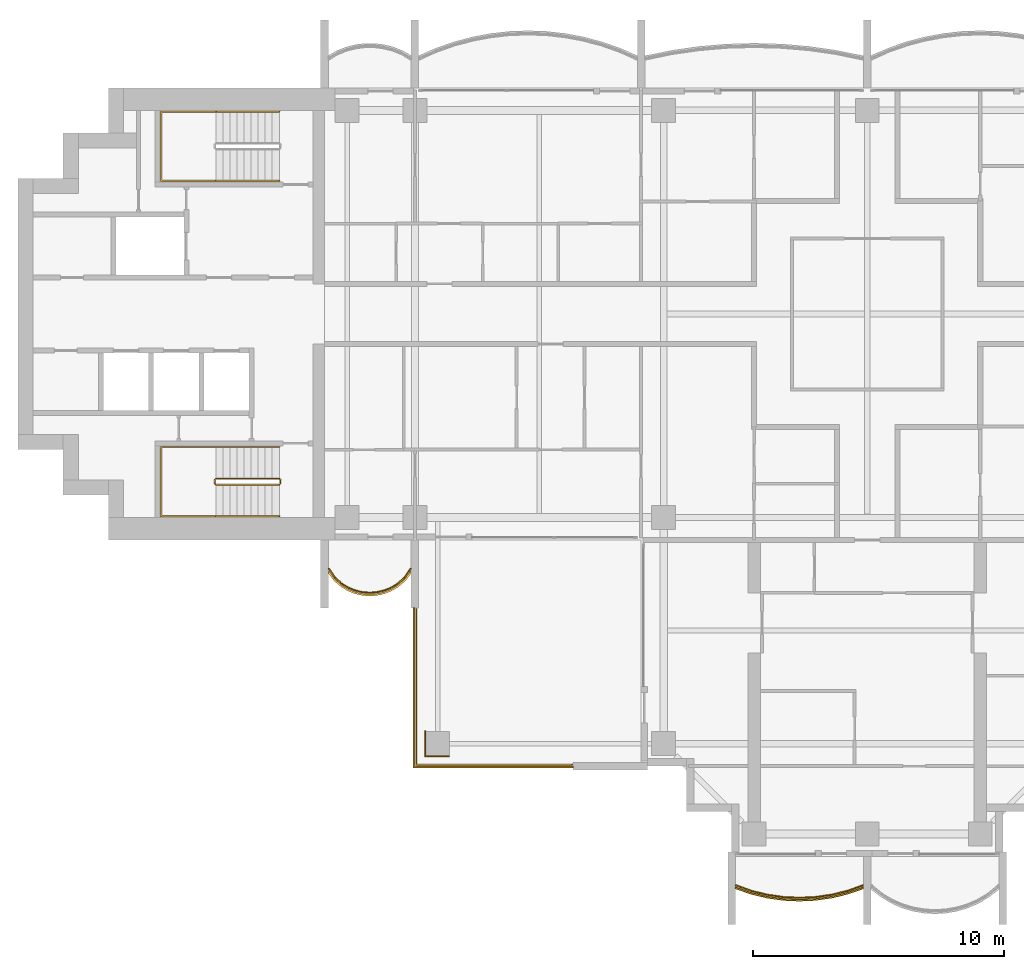
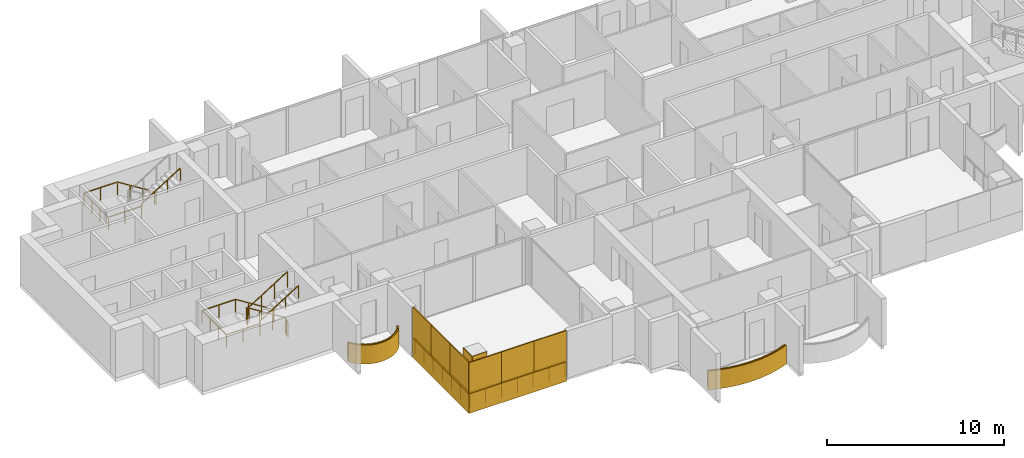
# One storey, part 14 of 17: 11 coverings, 6 railings.
"""IFC4 building model written with IfcOpenShell, lengths in metres."""

from ifc_helpers import new_model, si_unit, direction, frame, origin, origin_2d, place, context, subcontext, project, spatial, polyline, rectangle, outline, extrude, material, layer, layer_set, type_object, element, save


model = new_model("IFC4")

# Units and contexts
model_context = context("Model", 3, precision=1e-05, world=origin(), true_north=direction((0.0, 1.0)))
body_context = subcontext(model_context, "Body", "Model", "MODEL_VIEW")
ifc_project = project(units=[si_unit("LENGTHUNIT", "METRE"), si_unit("AREAUNIT", "SQUARE_METRE"), si_unit("VOLUMEUNIT", "CUBIC_METRE"), si_unit("PLANEANGLEUNIT", "RADIAN"), si_unit("MASSUNIT", "GRAM", prefix="KILO")], contexts=[model_context])

# Site, building, storey
site_placement = place(None, origin())
site = spatial("IfcSite", under=ifc_project, at=site_placement, CompositionType="ELEMENT")
building_placement = place(site_placement, origin())
building = spatial("IfcBuilding", under=site, at=building_placement, Name="Perihelion Cross Residences", CompositionType="ELEMENT")
storey_placement = place(building_placement, frame((0.0, 0.0, 212.10009765625)))
storey = spatial("IfcBuildingStorey", under=building, at=storey_placement, Name="L53", CompositionType="ELEMENT", Elevation=212.10009765625)

# Coverings
ifc_material_1 = material(Name="Bronze anodised aluminium", Category="aluminium")
ifc_layer_1 = layer(ifc_material_1, 0.070068359375)
ifc_layer_set_1 = layer_set([ifc_layer_1], Name="Balcony fascia 1300")
covering_type_1 = type_object("IfcCoveringType", Name="Balcony fascia 1300", PredefinedType="CLADDING", material=ifc_layer_set_1)
covering_1_placement = place(storey_placement, frame((0.0, 0.0, -0.2001953125)))
element("IfcCovering", 1, at=covering_1_placement, inside=storey, type_object=covering_type_1, Name="Fascia BF1 L53 west side south bay 1", PredefinedType="CLADDING", context=body_context, shape_type="SweptSolid", body=[
    extrude(outline(polyline([(-21.226318359375, -10.616455078125), (-20.94091796875, -10.86328125), (-20.655517578125, -11.031494140625), (-20.370361328125, -11.142578125), (-20.085205078125, -11.206298828125), (-19.800048828125, -11.22705078125), (-19.514892578125, -11.206298828125), (-19.229736328125, -11.142578125), (-18.9443359375, -11.031494140625), (-18.6591796875, -10.86328125), (-18.373779296875, -10.616455078125), (-18.14990234375, -10.31689453125), (-18.14990234375, -10.199951171875), (-18.425048828125, -10.568603515625), (-18.699951171875, -10.806396484375), (-18.97509765625, -10.96875), (-19.25, -11.07568359375), (-19.52490234375, -11.136962890625), (-19.800048828125, -11.156982421875), (-20.074951171875, -11.136962890625), (-20.35009765625, -11.07568359375), (-20.625, -10.96875), (-20.89990234375, -10.806396484375), (-21.175048828125, -10.568603515625), (-21.449951171875, -10.199951171875), (-21.449951171875, -10.31689453125), (-21.226318359375, -10.616455078125)])), origin(), (0.0, 0.0, 1.0), 1.300048828125),
])
covering_2_placement = place(storey_placement, frame((0.0, 0.0, -0.2001953125)))
element("IfcCovering", 2, at=covering_2_placement, inside=storey, type_object=covering_type_1, Name="Fascia BF1 L53 south tip south bay 1", PredefinedType="CLADDING", context=body_context, shape_type="SweptSolid", body=[
    extrude(outline(polyline([(-4.63232421875, -23.090576171875), (-3.98828125, -23.247314453125), (-3.34423828125, -23.339599609375), (-2.699951171875, -23.3701171875), (-2.055908203125, -23.339599609375), (-1.411865234375, -23.247314453125), (-0.767578125, -23.090576171875), (-0.14990234375, -22.874267578125), (-0.14990234375, -22.800048828125), (-0.78759765625, -23.0234375), (-1.425048828125, -23.178466796875), (-2.0625, -23.269775390625), (-2.699951171875, -23.300048828125), (-3.33740234375, -23.269775390625), (-3.97509765625, -23.178466796875), (-4.612548828125, -23.0234375), (-5.25, -22.800048828125), (-5.25, -22.874267578125), (-4.63232421875, -23.090576171875)])), origin(), (0.0, 0.0, 1.0), 1.300048828125),
])

# Railings
ifc_material_2 = material(Name="Bronze anodised aluminium", Category="aluminium")
railing_type_1 = type_object("IfcRailingType", Name="Balcony guard 1100", PredefinedType="GUARDRAIL", material=ifc_material_2)
railing_1_placement = place(storey_placement, frame((-21.425048828125, -10.139892578125, 0.0)))
element("IfcRailing", 3, at=railing_1_placement, inside=storey, type_object=railing_type_1, Name="Guard GU1 L53 west side south bay 1 balcony", PredefinedType="GUARDRAIL", context=body_context, shape_type="SweptSolid", body=[
    extrude(rectangle(XDim=0.048095703125, YDim=0.048095703125, at=origin_2d()), frame((0.0, 0.0, 1.076171875), z_axis=(0.561260132269, -0.827639452857, 0.0), x_axis=(0.827639452857, 0.561260132269, 0.0)), (0.0, 0.0, 1.0), 0.4453125),
    extrude(rectangle(XDim=0.048095703125, YDim=0.048095703125, at=origin_2d()), frame((0.25, -0.36865234375, 1.076171875), z_axis=(0.756596535164, -0.653882009982, 0.0), x_axis=(0.653882009982, 0.756596535164, 0.0)), (0.0, 0.0, 1.0), 0.36376953125),
    extrude(rectangle(XDim=0.048095703125, YDim=0.048095703125, at=origin_2d()), frame((0.525146484375, -0.6064453125, 1.076171875), z_axis=(0.861048292884, -0.508523192511, 0.0), x_axis=(0.508523192511, 0.861048292884, 0.0)), (0.0, 0.0, 1.0), 0.3193359375),
    extrude(rectangle(XDim=0.048095703125, YDim=0.048095703125, at=origin_2d()), frame((0.800048828125, -0.768798828125, 1.076171875), z_axis=(0.931973602183, -0.362526143656, 0.0), x_axis=(0.362526143656, 0.931973602183, 0.0)), (0.0, 0.0, 1.0), 0.294921875),
    extrude(rectangle(XDim=0.048095703125, YDim=0.048095703125, at=origin_2d()), frame((1.074951171875, -0.875732421875, 1.076171875), z_axis=(0.976085059389, -0.21738895289, 0.0), x_axis=(0.21738895289, 0.976085059389, 0.0)), (0.0, 0.0, 1.0), 0.281982421875),
    extrude(rectangle(XDim=0.048095703125, YDim=0.048095703125, at=origin_2d()), frame((1.35009765625, -0.93701171875, 1.076171875), z_axis=(0.997358821833, -0.072631814734, 0.0), x_axis=(0.072631814734, 0.997358821833, 0.0)), (0.0, 0.0, 1.0), 0.275634765625),
    extrude(rectangle(XDim=0.048095703125, YDim=0.048095703125, at=origin_2d()), frame((1.625, -0.95703125, 1.076171875), z_axis=(0.997363488337, 0.072567707226, 0.0), x_axis=(-0.072567707226, 0.997363488337, 0.0)), (0.0, 0.0, 1.0), 0.27587890625),
    extrude(rectangle(XDim=0.048095703125, YDim=0.048095703125, at=origin_2d()), frame((1.900146484375, -0.93701171875, 1.076171875), z_axis=(0.976044077717, 0.217572880557, 0.0), x_axis=(-0.217572880557, 0.976044077717, 0.0)), (0.0, 0.0, 1.0), 0.28173828125),
    extrude(rectangle(XDim=0.048095703125, YDim=0.048095703125, at=origin_2d()), frame((2.175048828125, -0.875732421875, 1.076171875), z_axis=(0.931973602183, 0.362526143656, 0.0), x_axis=(-0.362526143656, 0.931973602183, 0.0)), (0.0, 0.0, 1.0), 0.294921875),
    extrude(rectangle(XDim=0.048095703125, YDim=0.048095703125, at=origin_2d()), frame((2.449951171875, -0.768798828125, 1.076171875), z_axis=(0.861245845072, 0.508188542123, 0.0), x_axis=(-0.508188542123, 0.861245845072, 0.0)), (0.0, 0.0, 1.0), 0.319580078125),
    extrude(rectangle(XDim=0.048095703125, YDim=0.048095703125, at=origin_2d()), frame((2.72509765625, -0.6064453125, 1.076171875), z_axis=(0.756309278473, 0.654214242658, 0.0), x_axis=(-0.654214242658, 0.756309278473, 0.0)), (0.0, 0.0, 1.0), 0.363525390625),
    extrude(rectangle(XDim=0.048095703125, YDim=0.048095703125, at=origin_2d()), frame((3.0, -0.36865234375, 1.076171875), z_axis=(0.561260132269, 0.827639452857, 0.0), x_axis=(-0.827639452857, 0.561260132269, 0.0)), (0.0, 0.0, 1.0), 0.4453125),
    extrude(rectangle(XDim=0.0419921875, YDim=0.0419921875, at=origin_2d()), origin(), (0.0, 0.0, 1.0), 1.052001953125),
    extrude(rectangle(XDim=0.0419921875, YDim=0.0419921875, at=origin_2d()), frame((0.25, -0.36865234375, 0.0)), (0.0, 0.0, 1.0), 1.052001953125),
    extrude(rectangle(XDim=0.0419921875, YDim=0.0419921875, at=origin_2d()), frame((0.525146484375, -0.6064453125, 0.0)), (0.0, 0.0, 1.0), 1.052001953125),
    extrude(rectangle(XDim=0.0419921875, YDim=0.0419921875, at=origin_2d()), frame((0.800048828125, -0.768798828125, 0.0)), (0.0, 0.0, 1.0), 1.052001953125),
    extrude(rectangle(XDim=0.0419921875, YDim=0.0419921875, at=origin_2d()), frame((1.074951171875, -0.875732421875, 0.0)), (0.0, 0.0, 1.0), 1.052001953125),
    extrude(rectangle(XDim=0.0419921875, YDim=0.0419921875, at=origin_2d()), frame((1.35009765625, -0.93701171875, 0.0)), (0.0, 0.0, 1.0), 1.052001953125),
    extrude(rectangle(XDim=0.0419921875, YDim=0.0419921875, at=origin_2d()), frame((1.625, -0.95703125, 0.0)), (0.0, 0.0, 1.0), 1.052001953125),
    extrude(rectangle(XDim=0.0419921875, YDim=0.0419921875, at=origin_2d()), frame((1.900146484375, -0.93701171875, 0.0)), (0.0, 0.0, 1.0), 1.052001953125),
    extrude(rectangle(XDim=0.0419921875, YDim=0.0419921875, at=origin_2d()), frame((2.175048828125, -0.875732421875, 0.0)), (0.0, 0.0, 1.0), 1.052001953125),
    extrude(rectangle(XDim=0.0419921875, YDim=0.0419921875, at=origin_2d()), frame((2.449951171875, -0.768798828125, 0.0)), (0.0, 0.0, 1.0), 1.052001953125),
    extrude(rectangle(XDim=0.0419921875, YDim=0.0419921875, at=origin_2d()), frame((2.72509765625, -0.6064453125, 0.0)), (0.0, 0.0, 1.0), 1.052001953125),
    extrude(rectangle(XDim=0.0419921875, YDim=0.0419921875, at=origin_2d()), frame((3.0, -0.36865234375, 0.0)), (0.0, 0.0, 1.0), 1.052001953125),
    extrude(rectangle(XDim=0.0419921875, YDim=0.0419921875, at=origin_2d()), frame((3.25, 0.0, 0.0)), (0.0, 0.0, 1.0), 1.052001953125),
])
railing_2_placement = place(storey_placement, frame((-5.22509765625, -22.739990234375, 0.0)))
element("IfcRailing", 4, at=railing_2_placement, inside=storey, type_object=railing_type_1, Name="Guard GU1 L53 south tip south bay 1 balcony", PredefinedType="GUARDRAIL", context=body_context, shape_type="SweptSolid", body=[
    extrude(rectangle(XDim=0.048095703125, YDim=0.048095703125, at=origin_2d()), frame((0.0, 0.0, 1.076171875), z_axis=(0.939355405384, -0.342945217749, 0.0), x_axis=(0.342945217749, 0.939355405384, 0.0)), (0.0, 0.0, 1.0), 0.652099609375),
    extrude(rectangle(XDim=0.048095703125, YDim=0.048095703125, at=origin_2d()), frame((0.612548828125, -0.2236328125, 1.076171875), z_axis=(0.971676841941, -0.236313594268, 0.0), x_axis=(0.236313594268, 0.971676841941, 0.0)), (0.0, 0.0, 1.0), 0.656005859375),
    extrude(rectangle(XDim=0.048095703125, YDim=0.048095703125, at=origin_2d()), frame((1.25, -0.378662109375, 1.076171875), z_axis=(0.989903964498, -0.141739694763, 0.0), x_axis=(0.141739694763, 0.989903964498, 0.0)), (0.0, 0.0, 1.0), 0.644287109375),
    extrude(rectangle(XDim=0.048095703125, YDim=0.048095703125, at=origin_2d()), frame((1.8876953125, -0.469970703125, 1.076171875), z_axis=(0.998892243319, -0.04705620296, 0.0), x_axis=(0.04705620296, 0.998892243319, 0.0)), (0.0, 0.0, 1.0), 0.63818359375),
    extrude(rectangle(XDim=0.048095703125, YDim=0.048095703125, at=origin_2d()), frame((2.525146484375, -0.5, 1.076171875), z_axis=(0.998892243319, 0.04705620296, 0.0), x_axis=(-0.04705620296, 0.998892243319, 0.0)), (0.0, 0.0, 1.0), 0.63818359375),
    extrude(rectangle(XDim=0.048095703125, YDim=0.048095703125, at=origin_2d()), frame((3.16259765625, -0.469970703125, 1.076171875), z_axis=(0.989896346386, 0.141792889142, 0.0), x_axis=(-0.141792889142, 0.989896346386, 0.0)), (0.0, 0.0, 1.0), 0.64404296875),
    extrude(rectangle(XDim=0.048095703125, YDim=0.048095703125, at=origin_2d()), frame((3.800048828125, -0.378662109375, 1.076171875), z_axis=(0.971676841941, 0.236313594268, 0.0), x_axis=(-0.236313594268, 0.971676841941, 0.0)), (0.0, 0.0, 1.0), 0.656005859375),
    extrude(rectangle(XDim=0.048095703125, YDim=0.048095703125, at=origin_2d()), frame((4.4375, -0.2236328125, 1.076171875), z_axis=(0.939355405384, 0.342945217749, 0.0), x_axis=(-0.342945217749, 0.939355405384, 0.0)), (0.0, 0.0, 1.0), 0.652099609375),
    extrude(rectangle(XDim=0.0419921875, YDim=0.0419921875, at=origin_2d()), origin(), (0.0, 0.0, 1.0), 1.052001953125),
    extrude(rectangle(XDim=0.0419921875, YDim=0.0419921875, at=origin_2d()), frame((0.612548828125, -0.2236328125, 0.0)), (0.0, 0.0, 1.0), 1.052001953125),
    extrude(rectangle(XDim=0.0419921875, YDim=0.0419921875, at=origin_2d()), frame((1.25, -0.378662109375, 0.0)), (0.0, 0.0, 1.0), 1.052001953125),
    extrude(rectangle(XDim=0.0419921875, YDim=0.0419921875, at=origin_2d()), frame((1.8876953125, -0.469970703125, 0.0)), (0.0, 0.0, 1.0), 1.052001953125),
    extrude(rectangle(XDim=0.0419921875, YDim=0.0419921875, at=origin_2d()), frame((2.525146484375, -0.5, 0.0)), (0.0, 0.0, 1.0), 1.052001953125),
    extrude(rectangle(XDim=0.0419921875, YDim=0.0419921875, at=origin_2d()), frame((3.16259765625, -0.469970703125, 0.0)), (0.0, 0.0, 1.0), 1.052001953125),
    extrude(rectangle(XDim=0.0419921875, YDim=0.0419921875, at=origin_2d()), frame((3.800048828125, -0.378662109375, 0.0)), (0.0, 0.0, 1.0), 1.052001953125),
    extrude(rectangle(XDim=0.0419921875, YDim=0.0419921875, at=origin_2d()), frame((4.4375, -0.2236328125, 0.0)), (0.0, 0.0, 1.0), 1.052001953125),
    extrude(rectangle(XDim=0.0419921875, YDim=0.0419921875, at=origin_2d()), frame((5.050048828125, 0.0, 0.0)), (0.0, 0.0, 1.0), 1.052001953125),
])
railing_3_placement = place(storey_placement, frame((-11.739990234375, -17.93994140625, 0.0)))
element("IfcRailing", 5, at=railing_3_placement, inside=storey, type_object=railing_type_1, Name="Guard GU1 L53 pocket south-west 1", PredefinedType="GUARDRAIL", context=body_context, shape_type="SweptSolid", body=[
    extrude(rectangle(XDim=0.048095703125, YDim=0.048095703125, at=origin_2d()), frame((0.0, 0.0, 1.076171875), z_axis=(-1.0, 0.0, 0.0), x_axis=(0.0, -1.0, 0.0)), (0.0, 0.0, 1.0), 6.199951171875),
    extrude(rectangle(XDim=0.048095703125, YDim=0.048095703125, at=origin_2d()), frame((-6.199951171875, 0.0, 1.076171875), z_axis=(0.0, 1.0, 0.0), x_axis=(-1.0, 0.0, 0.0)), (0.0, 0.0, 1.0), 6.199951171875),
    extrude(rectangle(XDim=0.0419921875, YDim=0.0419921875, at=origin_2d()), origin(), (0.0, 0.0, 1.0), 1.052001953125),
    extrude(rectangle(XDim=0.0419921875, YDim=0.0419921875, at=origin_2d()), frame((-1.033203125, 0.0, 0.0)), (0.0, 0.0, 1.0), 1.052001953125),
    extrude(rectangle(XDim=0.0419921875, YDim=0.0419921875, at=origin_2d()), frame((-2.066650390625, 0.0, 0.0)), (0.0, 0.0, 1.0), 1.052001953125),
    extrude(rectangle(XDim=0.0419921875, YDim=0.0419921875, at=origin_2d()), frame((-3.10009765625, 0.0, 0.0)), (0.0, 0.0, 1.0), 1.052001953125),
    extrude(rectangle(XDim=0.0419921875, YDim=0.0419921875, at=origin_2d()), frame((-4.13330078125, 0.0, 0.0)), (0.0, 0.0, 1.0), 1.052001953125),
    extrude(rectangle(XDim=0.0419921875, YDim=0.0419921875, at=origin_2d()), frame((-5.16650390625, 0.0, 0.0)), (0.0, 0.0, 1.0), 1.052001953125),
    extrude(rectangle(XDim=0.0419921875, YDim=0.0419921875, at=origin_2d()), frame((-6.199951171875, 0.0, 0.0)), (0.0, 0.0, 1.0), 1.052001953125),
    extrude(rectangle(XDim=0.0419921875, YDim=0.0419921875, at=origin_2d()), frame((-6.199951171875, 1.033203125, 0.0)), (0.0, 0.0, 1.0), 1.052001953125),
    extrude(rectangle(XDim=0.0419921875, YDim=0.0419921875, at=origin_2d()), frame((-6.199951171875, 2.066650390625, 0.0)), (0.0, 0.0, 1.0), 1.052001953125),
    extrude(rectangle(XDim=0.0419921875, YDim=0.0419921875, at=origin_2d()), frame((-6.199951171875, 3.10009765625, 0.0)), (0.0, 0.0, 1.0), 1.052001953125),
    extrude(rectangle(XDim=0.0419921875, YDim=0.0419921875, at=origin_2d()), frame((-6.199951171875, 4.13330078125, 0.0)), (0.0, 0.0, 1.0), 1.052001953125),
    extrude(rectangle(XDim=0.0419921875, YDim=0.0419921875, at=origin_2d()), frame((-6.199951171875, 5.16650390625, 0.0)), (0.0, 0.0, 1.0), 1.052001953125),
    extrude(rectangle(XDim=0.0419921875, YDim=0.0419921875, at=origin_2d()), frame((-6.199951171875, 6.199951171875, 0.0)), (0.0, 0.0, 1.0), 1.052001953125),
])

# Coverings
ifc_material_3 = material(Name="Bronze anodised aluminium", Category="aluminium")
ifc_layer_2 = layer(ifc_material_3, 0.0400390625)
ifc_layer_set_2 = layer_set([ifc_layer_2], Name="Bronze column casing 40")
covering_type_2 = type_object("IfcCoveringType", Name="Bronze column casing 40", PredefinedType="CLADDING", material=ifc_layer_set_2)
covering_3_placement = place(storey_placement, frame((-17.594970703125, -17.10009765625, -0.25), z_axis=(0.0, 0.0, 1.0), x_axis=(1.0, 0.0, 0.0)))
element("IfcCovering", 6, at=covering_3_placement, inside=storey, type_object=covering_type_2, Name="Cladding CC1 L53 casing east-west no. 1", PredefinedType="CLADDING", context=body_context, shape_type="SweptSolid", body=[
    extrude(rectangle(XDim=0.0400390625, YDim=1.030029296875, at=origin_2d()), origin(), (0.0, 0.0, 1.0), 3.5),
])
covering_4_placement = place(storey_placement, frame((-17.10009765625, -17.594970703125, -0.25), z_axis=(0.0, 0.0, 1.0), x_axis=(1.0, 0.0, 0.0)))
element("IfcCovering", 7, at=covering_4_placement, inside=storey, type_object=covering_type_2, Name="Cladding CC1 L53 casing north-south no. 1", PredefinedType="CLADDING", context=body_context, shape_type="SweptSolid", body=[
    extrude(rectangle(XDim=0.949951171875, YDim=0.0400390625, at=origin_2d()), origin(), (0.0, 0.0, 1.0), 3.5),
])
ifc_material_4 = material(Name="Bronze anodised aluminium", Category="aluminium")
ifc_layer_3 = layer(ifc_material_4, 0.070068359375)
ifc_layer_set_3 = layer_set([ifc_layer_3], Name="Pocket fascia 1350")
covering_type_3 = type_object("IfcCoveringType", Name="Pocket fascia 1350", PredefinedType="CLADDING", material=ifc_layer_set_3)
covering_5_placement = place(storey_placement, frame((0.0, 0.0, -0.25)))
element("IfcCovering", 8, at=covering_5_placement, inside=storey, type_object=covering_type_3, Name="Fascia BF2 L53 pocket south-west 1", PredefinedType="CLADDING", context=body_context, shape_type="SweptSolid", body=[
    extrude(outline(polyline([(-18.070068359375, -11.699951171875), (-18.070068359375, -18.070068359375), (-11.699951171875, -18.070068359375), (-11.699951171875, -18.0), (-18.0, -18.0), (-18.0, -11.699951171875), (-18.070068359375, -11.699951171875)])), origin(), (0.0, 0.0, 1.0), 1.349853515625),
])
ifc_material_5 = material(Name="Bronze perforated aluminium", Category="aluminium")
ifc_layer_4 = layer(ifc_material_5, 0.070068359375)
ifc_layer_set_4 = layer_set([ifc_layer_4], Name="Pocket solar screen, bronze perforated")
covering_type_4 = type_object("IfcCoveringType", Name="Pocket solar screen, bronze perforated", PredefinedType="CLADDING", material=ifc_layer_set_4)
covering_6_placement = place(storey_placement, frame((0.0, 0.0, 1.099853515625)))
element("IfcCovering", 9, at=covering_6_placement, inside=storey, type_object=covering_type_4, Name="Solar screen PS1 L53 pocket south-west no. 1", PredefinedType="CLADDING", context=body_context, shape_type="SweptSolid", body=[
    extrude(outline(polyline([(-18.0, -18.0), (-18.0, -15.89990234375), (-18.070068359375, -15.89990234375), (-18.070068359375, -18.0), (-18.0, -18.0)])), origin(), (0.0, 0.0, 1.0), 2.150146484375),
])
covering_7_placement = place(storey_placement, frame((0.0, 0.0, 1.099853515625)))
element("IfcCovering", 10, at=covering_7_placement, inside=storey, type_object=covering_type_4, Name="Solar screen PS1 L53 pocket south-west no. 2", PredefinedType="CLADDING", context=body_context, shape_type="SweptSolid", body=[
    extrude(outline(polyline([(-18.0, -15.89990234375), (-18.0, -13.800048828125), (-18.070068359375, -13.800048828125), (-18.070068359375, -15.89990234375), (-18.0, -15.89990234375)])), origin(), (0.0, 0.0, 1.0), 2.150146484375),
])
covering_8_placement = place(storey_placement, frame((0.0, 0.0, 1.099853515625)))
element("IfcCovering", 11, at=covering_8_placement, inside=storey, type_object=covering_type_4, Name="Solar screen PS1 L53 pocket south-west no. 3", PredefinedType="CLADDING", context=body_context, shape_type="SweptSolid", body=[
    extrude(outline(polyline([(-18.0, -13.800048828125), (-18.0, -11.699951171875), (-18.070068359375, -11.699951171875), (-18.070068359375, -13.800048828125), (-18.0, -13.800048828125)])), origin(), (0.0, 0.0, 1.0), 2.150146484375),
])
covering_9_placement = place(storey_placement, frame((0.0, 0.0, 1.099853515625)))
element("IfcCovering", 12, at=covering_9_placement, inside=storey, type_object=covering_type_4, Name="Solar screen PS1 L53 pocket south-west no. 4", PredefinedType="CLADDING", context=body_context, shape_type="SweptSolid", body=[
    extrude(outline(polyline([(-15.94677734375, -18.070068359375), (-15.94677734375, -18.0), (-18.070068359375, -18.0), (-18.070068359375, -18.070068359375), (-15.94677734375, -18.070068359375)])), origin(), (0.0, 0.0, 1.0), 2.150146484375),
])
covering_10_placement = place(storey_placement, frame((0.0, 0.0, 1.099853515625)))
element("IfcCovering", 13, at=covering_10_placement, inside=storey, type_object=covering_type_4, Name="Solar screen PS1 L53 pocket south-west no. 5", PredefinedType="CLADDING", context=body_context, shape_type="SweptSolid", body=[
    extrude(outline(polyline([(-13.8232421875, -18.070068359375), (-13.8232421875, -18.0), (-15.94677734375, -18.0), (-15.94677734375, -18.070068359375), (-13.8232421875, -18.070068359375)])), origin(), (0.0, 0.0, 1.0), 2.150146484375),
])
covering_11_placement = place(storey_placement, frame((0.0, 0.0, 1.099853515625)))
element("IfcCovering", 14, at=covering_11_placement, inside=storey, type_object=covering_type_4, Name="Solar screen PS1 L53 pocket south-west no. 6", PredefinedType="CLADDING", context=body_context, shape_type="SweptSolid", body=[
    extrude(outline(polyline([(-11.699951171875, -18.070068359375), (-11.699951171875, -18.0), (-13.8232421875, -18.0), (-13.8232421875, -18.070068359375), (-11.699951171875, -18.070068359375)])), origin(), (0.0, 0.0, 1.0), 2.150146484375),
])

# Railings
ifc_material_6 = material(Name="Stainless steel", Category="steel")
railing_type_2 = type_object("IfcRailingType", Name="Stair guard 1100", PredefinedType="GUARDRAIL", material=ifc_material_6)
railing_4_placement = place(storey_placement, frame((-23.35009765625, -6.75, 0.0)))
element("IfcRailing", 15, at=railing_4_placement, inside=storey, type_object=railing_type_2, Name="L53 ST-W2 stair guard 1", PredefinedType="GUARDRAIL", context=body_context, shape_type="SweptSolid", body=[
    extrude(rectangle(XDim=0.048095703125, YDim=0.048095703125, at=origin_2d()), frame((0.0, 0.0, 1.076171875), z_axis=(0.0, 1.0, 0.0), x_axis=(-1.0, 0.0, 0.0)), (0.0, 0.0, 1.0), 0.14990234375),
    extrude(rectangle(XDim=0.048095703125, YDim=0.048095703125, at=origin_2d()), frame((0.0, 0.14990234375, 1.076171875), z_axis=(-0.264179342666, 0.265474339444, 0.927217692888), x_axis=(-0.708833529934, -0.705375805398, 0.0)), (0.0, 0.0, 1.0), 0.1884765625),
    extrude(rectangle(XDim=0.048095703125, YDim=0.048095703125, at=origin_2d()), frame((-0.0498046875, 0.199951171875, 1.2509765625), z_axis=(-0.847970611238, 0.0, 0.530043245855), x_axis=(0.0, -1.0, 0.0)), (0.0, 0.0, 1.0), 2.971923828125),
    extrude(rectangle(XDim=0.048095703125, YDim=0.048095703125, at=origin_2d()), frame((-2.56982421875, 0.199951171875, 2.826171875), z_axis=(-0.707106781187, -0.707106781187, 0.0), x_axis=(0.707106781187, -0.707106781187, 0.0)), (0.0, 0.0, 1.0), 0.07080078125),
    extrude(rectangle(XDim=0.048095703125, YDim=0.048095703125, at=origin_2d()), frame((-2.619873046875, 0.14990234375, 2.826171875), z_axis=(0.0, -1.0, 0.0), x_axis=(1.0, 0.0, 0.0)), (0.0, 0.0, 1.0), 0.14990234375),
    extrude(rectangle(XDim=0.048095703125, YDim=0.048095703125, at=origin_2d()), frame((-2.619873046875, 0.0, 2.826171875), z_axis=(0.265383341853, -0.265383341853, 0.926899867156), x_axis=(0.707106781187, 0.707106781187, 0.0)), (0.0, 0.0, 1.0), 0.1884765625),
    extrude(rectangle(XDim=0.048095703125, YDim=0.048095703125, at=origin_2d()), frame((-2.56982421875, -0.050048828125, 3.0009765625), z_axis=(0.847970611238, 0.0, 0.530043245855), x_axis=(0.0, 1.0, 0.0)), (0.0, 0.0, 1.0), 2.971923828125),
    extrude(rectangle(XDim=0.0419921875, YDim=0.0419921875, at=origin_2d()), origin(), (0.0, 0.0, 1.0), 1.052001953125),
    extrude(rectangle(XDim=0.0419921875, YDim=0.0419921875, at=origin_2d()), frame((0.0, 0.14990234375, 0.0)), (0.0, 0.0, 1.0), 1.052001953125),
    extrude(rectangle(XDim=0.0419921875, YDim=0.0419921875, at=origin_2d()), frame((-0.0498046875, 0.199951171875, 0.1748046875)), (0.0, 0.0, 1.0), 1.052001953125),
    extrude(rectangle(XDim=0.0419921875, YDim=0.0419921875, at=origin_2d()), frame((-0.889892578125, 0.199951171875, 0.699951171875)), (0.0, 0.0, 1.0), 1.052001953125),
    extrude(rectangle(XDim=0.0419921875, YDim=0.0419921875, at=origin_2d()), frame((-1.729736328125, 0.199951171875, 1.224853515625)), (0.0, 0.0, 1.0), 1.052001953125),
    extrude(rectangle(XDim=0.0419921875, YDim=0.0419921875, at=origin_2d()), frame((-2.56982421875, 0.199951171875, 1.75)), (0.0, 0.0, 1.0), 1.052001953125),
    extrude(rectangle(XDim=0.0419921875, YDim=0.0419921875, at=origin_2d()), frame((-2.619873046875, 0.14990234375, 1.75)), (0.0, 0.0, 1.0), 1.052001953125),
    extrude(rectangle(XDim=0.0419921875, YDim=0.0419921875, at=origin_2d()), frame((-2.619873046875, 0.0, 1.75)), (0.0, 0.0, 1.0), 1.052001953125),
    extrude(rectangle(XDim=0.0419921875, YDim=0.0419921875, at=origin_2d()), frame((-2.56982421875, -0.050048828125, 1.9248046875)), (0.0, 0.0, 1.0), 1.052001953125),
    extrude(rectangle(XDim=0.0419921875, YDim=0.0419921875, at=origin_2d()), frame((-1.729736328125, -0.050048828125, 2.449951171875)), (0.0, 0.0, 1.0), 1.052001953125),
    extrude(rectangle(XDim=0.0419921875, YDim=0.0419921875, at=origin_2d()), frame((-0.889892578125, -0.050048828125, 2.974853515625)), (0.0, 0.0, 1.0), 1.052001953125),
    extrude(rectangle(XDim=0.0419921875, YDim=0.0419921875, at=origin_2d()), frame((-0.0498046875, -0.050048828125, 3.5)), (0.0, 0.0, 1.0), 1.052001953125),
])
ifc_material_7 = material(Name="Stainless steel", Category="steel")
railing_type_3 = type_object("IfcRailingType", Name="Stair handrail 900", PredefinedType="HANDRAIL", material=ifc_material_7)
railing_5_placement = place(storey_placement, frame((-23.39990234375, 8.050048828125, 0.1748046875)))
element("IfcRailing", 16, at=railing_5_placement, inside=storey, type_object=railing_type_3, Name="L53 ST-W1 stair handrail 1", PredefinedType="HANDRAIL", context=body_context, shape_type="SweptSolid", body=[
    extrude(rectangle(XDim=0.048095703125, YDim=0.048095703125, at=origin_2d()), frame((0.0, 0.0, 0.8759765625), z_axis=(-0.847970611238, 0.0, 0.530043245855), x_axis=(0.0, -1.0, 0.0)), (0.0, 0.0, 1.0), 2.971923828125),
    extrude(rectangle(XDim=0.048095703125, YDim=0.048095703125, at=origin_2d()), frame((-2.52001953125, 0.0, 2.451171875), z_axis=(-1.0, 0.0, 0.0), x_axis=(0.0, -1.0, 0.0)), (0.0, 0.0, 1.0), 2.18017578125),
    extrude(rectangle(XDim=0.048095703125, YDim=0.048095703125, at=origin_2d()), frame((-4.7001953125, 0.0, 2.451171875), z_axis=(0.0, -1.0, 0.0), x_axis=(1.0, 0.0, 0.0)), (0.0, 0.0, 1.0), 2.75),
    extrude(rectangle(XDim=0.048095703125, YDim=0.048095703125, at=origin_2d()), frame((-4.7001953125, -2.75, 2.451171875), z_axis=(1.0, 0.0, 0.0), x_axis=(0.0, 1.0, 0.0)), (0.0, 0.0, 1.0), 2.18017578125),
    extrude(rectangle(XDim=0.048095703125, YDim=0.048095703125, at=origin_2d()), frame((-2.52001953125, -2.75, 2.451171875), z_axis=(0.0, 0.0, 1.0), x_axis=(1.0, 0.0, 0.0)), (0.0, 0.0, 1.0), 0.1748046875),
    extrude(rectangle(XDim=0.048095703125, YDim=0.048095703125, at=origin_2d()), frame((-2.52001953125, -2.75, 2.6259765625), z_axis=(0.847970611238, 0.0, 0.530043245855), x_axis=(0.0, 1.0, 0.0)), (0.0, 0.0, 1.0), 2.971923828125),
    extrude(rectangle(XDim=0.0419921875, YDim=0.0419921875, at=origin_2d()), origin(), (0.0, 0.0, 1.0), 0.851806640625),
    extrude(rectangle(XDim=0.0419921875, YDim=0.0419921875, at=origin_2d()), frame((-0.840087890625, 0.0, 0.525146484375)), (0.0, 0.0, 1.0), 0.851806640625),
    extrude(rectangle(XDim=0.0419921875, YDim=0.0419921875, at=origin_2d()), frame((-1.679931640625, 0.0, 1.050048828125)), (0.0, 0.0, 1.0), 0.851806640625),
    extrude(rectangle(XDim=0.0419921875, YDim=0.0419921875, at=origin_2d()), frame((-2.52001953125, 0.0, 1.5751953125)), (0.0, 0.0, 1.0), 0.851806640625),
    extrude(rectangle(XDim=0.0419921875, YDim=0.0419921875, at=origin_2d()), frame((-3.610107421875, 0.0, 1.5751953125)), (0.0, 0.0, 1.0), 0.851806640625),
    extrude(rectangle(XDim=0.0419921875, YDim=0.0419921875, at=origin_2d()), frame((-4.7001953125, 0.0, 1.5751953125)), (0.0, 0.0, 1.0), 0.851806640625),
    extrude(rectangle(XDim=0.0419921875, YDim=0.0419921875, at=origin_2d()), frame((-4.7001953125, -0.916748046875, 1.5751953125)), (0.0, 0.0, 1.0), 0.851806640625),
    extrude(rectangle(XDim=0.0419921875, YDim=0.0419921875, at=origin_2d()), frame((-4.7001953125, -1.833251953125, 1.5751953125)), (0.0, 0.0, 1.0), 0.851806640625),
    extrude(rectangle(XDim=0.0419921875, YDim=0.0419921875, at=origin_2d()), frame((-4.7001953125, -2.75, 1.5751953125)), (0.0, 0.0, 1.0), 0.851806640625),
    extrude(rectangle(XDim=0.0419921875, YDim=0.0419921875, at=origin_2d()), frame((-3.610107421875, -2.75, 1.5751953125)), (0.0, 0.0, 1.0), 0.851806640625),
    extrude(rectangle(XDim=0.0419921875, YDim=0.0419921875, at=origin_2d()), frame((-2.52001953125, -2.75, 1.5751953125)), (0.0, 0.0, 1.0), 0.851806640625),
    extrude(rectangle(XDim=0.0419921875, YDim=0.0419921875, at=origin_2d()), frame((-2.52001953125, -2.75, 1.75)), (0.0, 0.0, 1.0), 0.851806640625),
    extrude(rectangle(XDim=0.0419921875, YDim=0.0419921875, at=origin_2d()), frame((-1.679931640625, -2.75, 2.275146484375)), (0.0, 0.0, 1.0), 0.851806640625),
    extrude(rectangle(XDim=0.0419921875, YDim=0.0419921875, at=origin_2d()), frame((-0.840087890625, -2.75, 2.800048828125)), (0.0, 0.0, 1.0), 0.851806640625),
    extrude(rectangle(XDim=0.0419921875, YDim=0.0419921875, at=origin_2d()), frame((0.0, -2.75, 3.3251953125)), (0.0, 0.0, 1.0), 0.851806640625),
])
railing_6_placement = place(storey_placement, frame((-23.39990234375, -5.300048828125, 0.1748046875)))
element("IfcRailing", 17, at=railing_6_placement, inside=storey, type_object=railing_type_3, Name="L53 ST-W2 stair handrail 1", PredefinedType="HANDRAIL", context=body_context, shape_type="SweptSolid", body=[
    extrude(rectangle(XDim=0.048095703125, YDim=0.048095703125, at=origin_2d()), frame((0.0, 0.0, 0.8759765625), z_axis=(-0.847970611238, 0.0, 0.530043245855), x_axis=(0.0, -1.0, 0.0)), (0.0, 0.0, 1.0), 2.971923828125),
    extrude(rectangle(XDim=0.048095703125, YDim=0.048095703125, at=origin_2d()), frame((-2.52001953125, 0.0, 2.451171875), z_axis=(-1.0, 0.0, 0.0), x_axis=(0.0, -1.0, 0.0)), (0.0, 0.0, 1.0), 2.18017578125),
    extrude(rectangle(XDim=0.048095703125, YDim=0.048095703125, at=origin_2d()), frame((-4.7001953125, 0.0, 2.451171875), z_axis=(0.0, -1.0, 0.0), x_axis=(1.0, 0.0, 0.0)), (0.0, 0.0, 1.0), 2.75),
    extrude(rectangle(XDim=0.048095703125, YDim=0.048095703125, at=origin_2d()), frame((-4.7001953125, -2.75, 2.451171875), z_axis=(1.0, 0.0, 0.0), x_axis=(0.0, 1.0, 0.0)), (0.0, 0.0, 1.0), 2.18017578125),
    extrude(rectangle(XDim=0.048095703125, YDim=0.048095703125, at=origin_2d()), frame((-2.52001953125, -2.75, 2.451171875), z_axis=(0.0, 0.0, 1.0), x_axis=(1.0, 0.0, 0.0)), (0.0, 0.0, 1.0), 0.1748046875),
    extrude(rectangle(XDim=0.048095703125, YDim=0.048095703125, at=origin_2d()), frame((-2.52001953125, -2.75, 2.6259765625), z_axis=(0.847970611238, 0.0, 0.530043245855), x_axis=(0.0, 1.0, 0.0)), (0.0, 0.0, 1.0), 2.971923828125),
    extrude(rectangle(XDim=0.0419921875, YDim=0.0419921875, at=origin_2d()), origin(), (0.0, 0.0, 1.0), 0.851806640625),
    extrude(rectangle(XDim=0.0419921875, YDim=0.0419921875, at=origin_2d()), frame((-0.840087890625, 0.0, 0.525146484375)), (0.0, 0.0, 1.0), 0.851806640625),
    extrude(rectangle(XDim=0.0419921875, YDim=0.0419921875, at=origin_2d()), frame((-1.679931640625, 0.0, 1.050048828125)), (0.0, 0.0, 1.0), 0.851806640625),
    extrude(rectangle(XDim=0.0419921875, YDim=0.0419921875, at=origin_2d()), frame((-2.52001953125, 0.0, 1.5751953125)), (0.0, 0.0, 1.0), 0.851806640625),
    extrude(rectangle(XDim=0.0419921875, YDim=0.0419921875, at=origin_2d()), frame((-3.610107421875, 0.0, 1.5751953125)), (0.0, 0.0, 1.0), 0.851806640625),
    extrude(rectangle(XDim=0.0419921875, YDim=0.0419921875, at=origin_2d()), frame((-4.7001953125, 0.0, 1.5751953125)), (0.0, 0.0, 1.0), 0.851806640625),
    extrude(rectangle(XDim=0.0419921875, YDim=0.0419921875, at=origin_2d()), frame((-4.7001953125, -0.916748046875, 1.5751953125)), (0.0, 0.0, 1.0), 0.851806640625),
    extrude(rectangle(XDim=0.0419921875, YDim=0.0419921875, at=origin_2d()), frame((-4.7001953125, -1.833251953125, 1.5751953125)), (0.0, 0.0, 1.0), 0.851806640625),
    extrude(rectangle(XDim=0.0419921875, YDim=0.0419921875, at=origin_2d()), frame((-4.7001953125, -2.75, 1.5751953125)), (0.0, 0.0, 1.0), 0.851806640625),
    extrude(rectangle(XDim=0.0419921875, YDim=0.0419921875, at=origin_2d()), frame((-3.610107421875, -2.75, 1.5751953125)), (0.0, 0.0, 1.0), 0.851806640625),
    extrude(rectangle(XDim=0.0419921875, YDim=0.0419921875, at=origin_2d()), frame((-2.52001953125, -2.75, 1.5751953125)), (0.0, 0.0, 1.0), 0.851806640625),
    extrude(rectangle(XDim=0.0419921875, YDim=0.0419921875, at=origin_2d()), frame((-2.52001953125, -2.75, 1.75)), (0.0, 0.0, 1.0), 0.851806640625),
    extrude(rectangle(XDim=0.0419921875, YDim=0.0419921875, at=origin_2d()), frame((-1.679931640625, -2.75, 2.275146484375)), (0.0, 0.0, 1.0), 0.851806640625),
    extrude(rectangle(XDim=0.0419921875, YDim=0.0419921875, at=origin_2d()), frame((-0.840087890625, -2.75, 2.800048828125)), (0.0, 0.0, 1.0), 0.851806640625),
    extrude(rectangle(XDim=0.0419921875, YDim=0.0419921875, at=origin_2d()), frame((0.0, -2.75, 3.3251953125)), (0.0, 0.0, 1.0), 0.851806640625),
])

save(model, "model.ifc")
